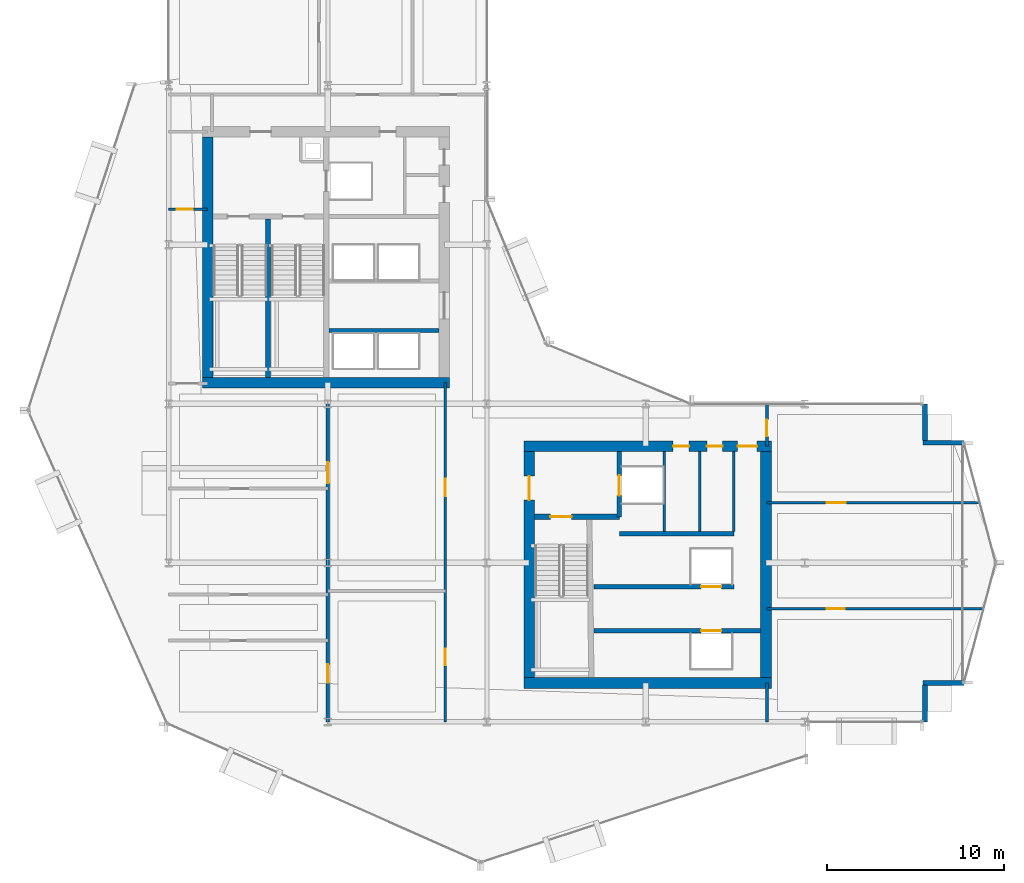
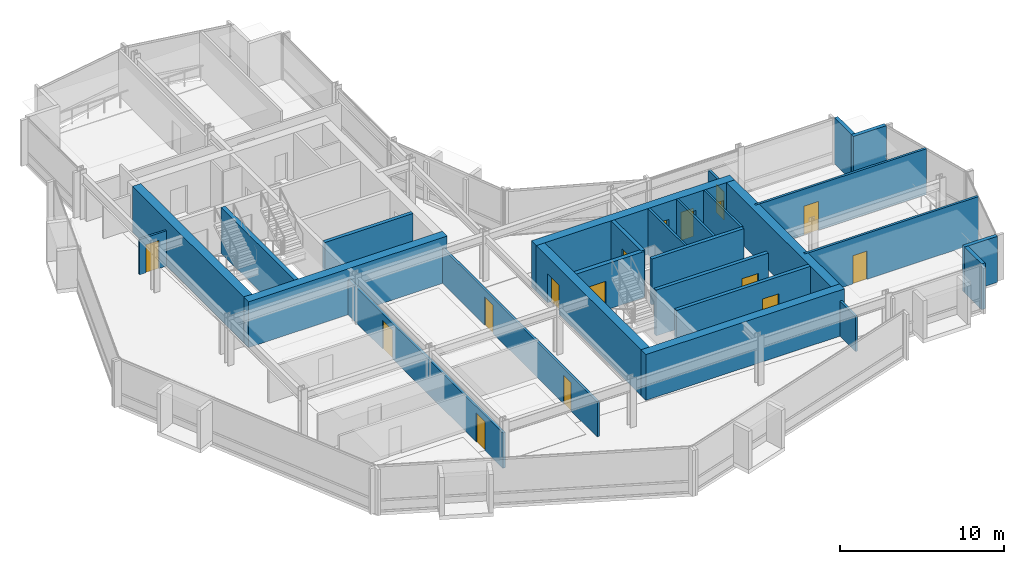
# One storey, part 22 of 28: 27 walls, 16 doors, 16 openings.
"""IFC4 building model written with IfcOpenShell, lengths in metres."""

from ifc_helpers import new_model, si_unit, direction, frame, frame_2d, origin, place, context, subcontext, project, spatial, rectangle, extrude, material, layer, layer_set, type_object, element, fill, save


model = new_model("IFC4")

# Units and contexts
model_context = context("Model", 3, precision=1e-05, world=origin(), true_north=direction((0.0, 1.0)))
body_context = subcontext(model_context, "Body", "Model", "MODEL_VIEW")
ifc_project = project(units=[si_unit("LENGTHUNIT", "METRE"), si_unit("AREAUNIT", "SQUARE_METRE"), si_unit("VOLUMEUNIT", "CUBIC_METRE"), si_unit("PLANEANGLEUNIT", "RADIAN"), si_unit("MASSUNIT", "GRAM", prefix="KILO")], contexts=[model_context])

# Site, building, storey
site_placement = place(None, origin())
site = spatial("IfcSite", under=ifc_project, at=site_placement, CompositionType="ELEMENT")
building_placement = place(site_placement, origin())
building = spatial("IfcBuilding", under=site, at=building_placement, Name="Solvaryn Broadcast Tower", CompositionType="ELEMENT")
storey_placement = place(building_placement, frame((0.0, 0.0, 110.0)))
storey = spatial("IfcBuildingStorey", under=building, at=storey_placement, Name="L26", CompositionType="ELEMENT", Elevation=110.0)

# Walls
ifc_material_1 = material(Name="Concrete f'c 70 MPa", Category="concrete")
ifc_layer_1 = layer(ifc_material_1, 0.60009765625)
ifc_layer_set_1 = layer_set([ifc_layer_1], Name="CW-SHEAR-600")
wall_type_1 = type_object("IfcWallType", Name="CW-SHEAR-600", PredefinedType="SHEAR", material=ifc_layer_set_1)
wall_1_placement = place(storey_placement, frame((10.89990234375, 28.199951171875, 0.0), z_axis=(0.0, 0.0, 1.0), x_axis=(1.0, 0.0, 0.0)))
element("IfcWall", 1, at=wall_1_placement, inside=storey, type_object=wall_type_1, Name="L26 West Core South Shear Wall", PredefinedType="SHEAR", context=body_context, shape_type="SweptSolid", body=[
    extrude(rectangle(XDim=14.0, YDim=0.60009765625, at=frame_2d((7.0, 0.0))), origin(), (0.0, 0.0, 1.0), 3.419921875),
])
wall_2_placement = place(storey_placement, frame((11.199951171875, 42.10009765625, 0.0), z_axis=(0.0, 0.0, 1.0), x_axis=(0.0, -1.0, 0.0)))
element("IfcWall", 2, at=wall_2_placement, inside=storey, type_object=wall_type_1, Name="L26 West Core West Shear Wall", PredefinedType="SHEAR", context=body_context, shape_type="SweptSolid", body=[
    extrude(rectangle(XDim=13.60009765625, YDim=0.60009765625, at=frame_2d((6.800048828125, 0.0))), origin(), (0.0, 0.0, 1.0), 3.419921875),
])
wall_3_placement = place(storey_placement, frame((29.10009765625, 11.199951171875, 0.0), z_axis=(0.0, 0.0, 1.0), x_axis=(1.0, 0.0, 0.0)))
element("IfcWall", 3, at=wall_3_placement, inside=storey, type_object=wall_type_1, Name="L26 East Core South Shear Wall", PredefinedType="SHEAR", context=body_context, shape_type="SweptSolid", body=[
    extrude(rectangle(XDim=14.0, YDim=0.60009765625, at=frame_2d((7.0, 0.0))), origin(), (0.0, 0.0, 1.0), 3.419921875),
])

# Wall, openings, doors
wall_4_placement = place(storey_placement, frame((43.10009765625, 24.60009765625, 0.0), z_axis=(0.0, 0.0, 1.0), x_axis=(-1.0, 0.0, 0.0)))
wall_4 = element("IfcWall", 4, at=wall_4_placement, inside=storey, type_object=wall_type_1, Name="L26 East Core North Shear Wall", PredefinedType="SHEAR", context=body_context, shape_type="SweptSolid", body=[
    extrude(rectangle(XDim=14.0, YDim=0.60009765625, at=frame_2d((7.0, 0.0))), origin(), (0.0, 0.0, 1.0), 3.419921875),
])
opening_1_placement = place(wall_4_placement, frame((0.800048828125, 0.0, 0.0)))
opening_1 = element("IfcOpeningElement", 5, at=opening_1_placement, cuts=wall_4, Name="Opening FD90C", PredefinedType="OPENING", context=body_context, shape_type="SweptSolid", body=[
    extrude(rectangle(XDim=1.10009765625, YDim=2.14990234375, at=frame_2d((0.550048828125, 1.074951171875))), frame((0.0, 0.31005859375, 0.0), z_axis=(0.0, -1.0, 0.0), x_axis=(1.0, 0.0, 0.0)), (0.0, 0.0, 1.0), 0.6201171875),
])
opening_2_placement = place(wall_4_placement, frame((2.75, 0.0, 0.0)))
opening_2 = element("IfcOpeningElement", 6, at=opening_2_placement, cuts=wall_4, Name="Opening FD60C", PredefinedType="OPENING", context=body_context, shape_type="SweptSolid", body=[
    extrude(rectangle(XDim=0.89990234375, YDim=2.10009765625, at=frame_2d((0.449951171875, 1.050048828125))), frame((0.0, 0.31005859375, 0.0), z_axis=(0.0, -1.0, 0.0), x_axis=(1.0, 0.0, 0.0)), (0.0, 0.0, 1.0), 0.6201171875),
])
opening_3_placement = place(wall_4_placement, frame((4.64990234375, 0.0, 0.0)))
opening_3 = element("IfcOpeningElement", 7, at=opening_3_placement, cuts=wall_4, Name="Opening FD60C", PredefinedType="OPENING", context=body_context, shape_type="SweptSolid", body=[
    extrude(rectangle(XDim=0.89990234375, YDim=2.10009765625, at=frame_2d((0.449951171875, 1.050048828125))), frame((0.0, 0.31005859375, 0.0), z_axis=(0.0, -1.0, 0.0), x_axis=(1.0, 0.0, 0.0)), (0.0, 0.0, 1.0), 0.6201171875),
])
ifc_material_2 = material(Name="Flush Acoustic Steel and Timber Door Assembly", Category="steel")
door_type_1 = type_object("IfcDoorType", Name="FD60-SERV-900X2100", OperationType="NOTDEFINED", PredefinedType="DOOR", material=ifc_material_2)
door_1_placement = place(opening_2_placement, origin())
door_1 = element("IfcDoor", 8, at=door_1_placement, inside=storey, type_object=door_type_1, Name="L26 Staff Restroom Door", OperationType="SINGLE_SWING_LEFT", OverallHeight=2.10009765625, OverallWidth=0.89990234375, PredefinedType="DOOR", context=body_context, shape_type="SweptSolid", body=[
    extrude(rectangle(XDim=0.89990234375, YDim=2.10009765625, at=frame_2d((0.449951171875, 1.050048828125))), frame((0.0, 0.02490234375, 0.0), z_axis=(0.0, -1.0, 0.0), x_axis=(1.0, 0.0, 0.0)), (0.0, 0.0, 1.0), 0.050048828125),
])
fill(opening_2, door_1)
door_2_placement = place(opening_3_placement, origin())
door_2 = element("IfcDoor", 9, at=door_2_placement, inside=storey, type_object=door_type_1, Name="L26 Accessible WC Door", OperationType="SINGLE_SWING_RIGHT", OverallHeight=2.10009765625, OverallWidth=0.89990234375, PredefinedType="DOOR", context=body_context, shape_type="SweptSolid", body=[
    extrude(rectangle(XDim=0.89990234375, YDim=2.10009765625, at=frame_2d((0.449951171875, 1.050048828125))), frame((0.0, 0.02490234375, 0.0), z_axis=(0.0, -1.0, 0.0), x_axis=(1.0, 0.0, 0.0)), (0.0, 0.0, 1.0), 0.050048828125),
])
fill(opening_3, door_2)
ifc_material_3 = material(Name="Flush Acoustic Steel and Timber Door Assembly", Category="steel")
door_type_2 = type_object("IfcDoorType", Name="FD90-PLANT-1100X2150", OperationType="NOTDEFINED", PredefinedType="DOOR", material=ifc_material_3)
door_3_placement = place(opening_1_placement, origin())
door_3 = element("IfcDoor", 10, at=door_3_placement, inside=storey, type_object=door_type_2, Name="L26 East Core Lobby Corridor Door", OperationType="SINGLE_SWING_LEFT", OverallHeight=2.14990234375, OverallWidth=1.10009765625, PredefinedType="DOOR", context=body_context, shape_type="SweptSolid", body=[
    extrude(rectangle(XDim=1.10009765625, YDim=2.14990234375, at=frame_2d((0.550048828125, 1.074951171875))), frame((0.0, 0.02490234375, 0.0), z_axis=(0.0, -1.0, 0.0), x_axis=(1.0, 0.0, 0.0)), (0.0, 0.0, 1.0), 0.050048828125),
])
fill(opening_1, door_3)

# Wall, opening, door
wall_5_placement = place(storey_placement, frame((29.39990234375, 24.300048828125, 0.0), z_axis=(0.0, 0.0, 1.0), x_axis=(0.0, -1.0, 0.0)))
wall_5 = element("IfcWall", 11, at=wall_5_placement, inside=storey, type_object=wall_type_1, Name="L26 East Core West Shear Wall", PredefinedType="SHEAR", context=body_context, shape_type="SweptSolid", body=[
    extrude(rectangle(XDim=12.800048828125, YDim=0.60009765625, at=frame_2d((6.39990234375, 0.0))), origin(), (0.0, 0.0, 1.0), 3.419921875),
])
opening_4_placement = place(wall_5_placement, frame((1.39990234375, 0.0, 0.0)))
opening_4 = element("IfcOpeningElement", 12, at=opening_4_placement, cuts=wall_5, Name="Opening FD90B", PredefinedType="OPENING", context=body_context, shape_type="SweptSolid", body=[
    extrude(rectangle(XDim=1.35009765625, YDim=2.14990234375, at=frame_2d((0.675048828125, 1.074951171875))), frame((0.0, 0.31005859375, 0.0), z_axis=(0.0, -1.0, 0.0), x_axis=(1.0, 0.0, 0.0)), (0.0, 0.0, 1.0), 0.6201171875),
])
ifc_material_4 = material(Name="Flush Acoustic Steel and Timber Door Assembly", Category="steel")
door_type_3 = type_object("IfcDoorType", Name="FD90-LOBBY-1350X2150", OperationType="NOTDEFINED", PredefinedType="DOOR", material=ifc_material_4)
door_4_placement = place(opening_4_placement, origin())
door_4 = element("IfcDoor", 13, at=door_4_placement, inside=storey, type_object=door_type_3, Name="L26 East FSAE Lobby Door", OperationType="SINGLE_SWING_RIGHT", OverallHeight=2.14990234375, OverallWidth=1.35009765625, PredefinedType="DOOR", context=body_context, shape_type="SweptSolid", body=[
    extrude(rectangle(XDim=1.35009765625, YDim=2.14990234375, at=frame_2d((0.675048828125, 1.074951171875))), frame((0.0, 0.02490234375, 0.0), z_axis=(0.0, -1.0, 0.0), x_axis=(1.0, 0.0, 0.0)), (0.0, 0.0, 1.0), 0.050048828125),
])
fill(opening_4, door_4)

# Walls
wall_6_placement = place(storey_placement, frame((42.800048828125, 11.5, 0.0), z_axis=(0.0, 0.0, 1.0), x_axis=(0.0, 1.0, 0.0)))
element("IfcWall", 14, at=wall_6_placement, inside=storey, type_object=wall_type_1, Name="L26 East Core East Shear Wall", PredefinedType="SHEAR", context=body_context, shape_type="SweptSolid", body=[
    extrude(rectangle(XDim=12.800048828125, YDim=0.60009765625, at=frame_2d((6.39990234375, 0.0))), origin(), (0.0, 0.0, 1.0), 3.419921875),
])
ifc_material_5 = material(Name="Concrete f'c 50 MPa", Category="concrete")
ifc_layer_2 = layer(ifc_material_5, 0.260009765625)
ifc_layer_set_2 = layer_set([ifc_layer_2], Name="EW-PIER-260")
wall_type_2 = type_object("IfcWallType", Name="EW-PIER-260", PredefinedType="SOLIDWALL", material=ifc_layer_set_2)
wall_7_placement = place(storey_placement, frame((51.800048828125, 9.0, 0.0), z_axis=(0.0, 0.0, 1.0), x_axis=(0.0, 1.0, 0.0)))
element("IfcWall", 15, at=wall_7_placement, inside=storey, type_object=wall_type_2, Name="L26 Notched Corner Pier Wall NSE1", PredefinedType="SOLIDWALL", context=body_context, shape_type="SweptSolid", body=[
    extrude(rectangle(XDim=2.080078125, YDim=0.260009765625, at=frame_2d((1.0400390625, 0.0))), origin(), (0.0, 0.0, 1.0), 3.419921875),
])
for number, where, z_axis, x_axis, name in (
    (16, (51.679931640625, 11.199951171875, 0.0), (0.0, 0.0, 1.0), (1.0, 0.0, 0.0), "L26 Notched Corner Pier Wall NSE2"),
    (17, (54.0, 24.800048828125, 0.0), (0.0, 0.0, 1.0), (-1.0, 0.0, 0.0), "L26 Notched Corner Pier Wall NEE1"),
):
    element("IfcWall", number, at=place(storey_placement, frame(where, z_axis=z_axis, x_axis=x_axis)), inside=storey, type_object=wall_type_2, Name=name, PredefinedType="SOLIDWALL", context=body_context, shape_type="SweptSolid", body=[
        extrude(rectangle(XDim=2.320068359375, YDim=0.260009765625, at=frame_2d((1.16015625, 0.0))), origin(), (0.0, 0.0, 1.0), 3.419921875),
    ])
wall_8_placement = place(storey_placement, frame((51.800048828125, 24.919921875, 0.0), z_axis=(0.0, 0.0, 1.0), x_axis=(0.0, 1.0, 0.0)))
element("IfcWall", 18, at=wall_8_placement, inside=storey, type_object=wall_type_2, Name="L26 Notched Corner Pier Wall NEE2", PredefinedType="SOLIDWALL", context=body_context, shape_type="SweptSolid", body=[
    extrude(rectangle(XDim=2.080078125, YDim=0.260009765625, at=frame_2d((1.0400390625, 0.0))), origin(), (0.0, 0.0, 1.0), 3.419921875),
])
ifc_material_6 = material(Name="Metal-Stud Service Core Partition")
ifc_layer_3 = layer(ifc_material_6, 0.14990234375)
ifc_layer_set_3 = layer_set([ifc_layer_3], Name="IW-PART-150")
wall_type_3 = type_object("IfcWallType", Name="IW-PART-150", PredefinedType="PARTITIONING", material=ifc_layer_set_3)
for number, where, z_axis, x_axis, name in (
    (19, (37.050048828125, 19.780029296875, 0.0), (0.0, 0.0, 1.0), (0.0, 1.0, 0.0), "L26 Interior Partition IW-L26-CE-FL2E"),
    (20, (39.050048828125, 19.780029296875, 0.0), (0.0, 0.0, 1.0), (0.0, 1.0, 0.0), "L26 Interior Partition IW-L26-CE-V1"),
    (21, (40.97998046875, 19.780029296875, 0.0), (0.0, 0.0, 1.0), (0.0, 1.0, 0.0), "L26 Interior Partition IW-L26-CE-V3"),
):
    element("IfcWall", number, at=place(storey_placement, frame(where, z_axis=z_axis, x_axis=x_axis)), inside=storey, type_object=wall_type_3, Name=name, PredefinedType="PARTITIONING", context=body_context, shape_type="SweptSolid", body=[
        extrude(rectangle(XDim=4.52001953125, YDim=0.14990234375, at=frame_2d((2.260009765625, 0.0))), origin(), (0.0, 0.0, 1.0), 3.419921875),
    ])

# Wall, opening, door
wall_9_placement = place(storey_placement, frame((9.0, 38.0, 0.0), z_axis=(0.0, 0.0, 1.0), x_axis=(1.0, 0.0, 0.0)))
wall_9 = element("IfcWall", 22, at=wall_9_placement, inside=storey, type_object=wall_type_3, Name="L26 Interior Partition IW-L26-WM-M", PredefinedType="PARTITIONING", context=body_context, shape_type="SweptSolid", body=[
    extrude(rectangle(XDim=2.199951171875, YDim=0.14990234375, at=frame_2d((1.10009765625, 0.0))), origin(), (0.0, 0.0, 1.0), 2.634033203125),
])
opening_5_placement = place(wall_9_placement, frame((0.449951171875, 0.0, 0.0)))
opening_5 = element("IfcOpeningElement", 23, at=opening_5_placement, cuts=wall_9, Name="Opening FD60C", PredefinedType="OPENING", context=body_context, shape_type="SweptSolid", body=[
    extrude(rectangle(XDim=0.89990234375, YDim=2.10009765625, at=frame_2d((0.449951171875, 1.050048828125))), frame((0.0, 0.0849609375, 0.0), z_axis=(0.0, -1.0, 0.0), x_axis=(1.0, 0.0, 0.0)), (0.0, 0.0, 1.0), 0.169921875),
])
door_5_placement = place(opening_5_placement, origin())
door_5 = element("IfcDoor", 24, at=door_5_placement, inside=storey, type_object=door_type_1, Name="L26 Door DR-L26-WM1", OperationType="SINGLE_SWING_RIGHT", OverallHeight=2.10009765625, OverallWidth=0.89990234375, PredefinedType="DOOR", context=body_context, shape_type="SweptSolid", body=[
    extrude(rectangle(XDim=0.89990234375, YDim=2.10009765625, at=frame_2d((0.449951171875, 1.050048828125))), frame((0.0, 0.02490234375, 0.0), z_axis=(0.0, -1.0, 0.0), x_axis=(1.0, 0.0, 0.0)), (0.0, 0.0, 1.0), 0.050048828125),
])
fill(opening_5, door_5)

# Wall, openings, doors
ifc_material_7 = material(Name="Metal-Stud Gypsum Office Partition")
ifc_layer_4 = layer(ifc_material_7, 0.159912109375)
ifc_layer_set_4 = layer_set([ifc_layer_4], Name="IW-PART-160")
wall_type_4 = type_object("IfcWallType", Name="IW-PART-160", PredefinedType="PARTITIONING", material=ifc_layer_set_4)
wall_10_placement = place(storey_placement, frame((24.64990234375, 9.0, 0.0), z_axis=(0.0, 0.0, 1.0), x_axis=(0.0, 1.0, 0.0)))
wall_10 = element("IfcWall", 25, at=wall_10_placement, inside=storey, type_object=wall_type_4, Name="L26 Interior Partition IW-L26-SW-EB", PredefinedType="PARTITIONING", context=body_context, shape_type="SweptSolid", body=[
    extrude(rectangle(XDim=19.199951171875, YDim=0.159912109375, at=frame_2d((9.60009765625, 0.0))), origin(), (0.0, 0.0, 1.0), 2.634033203125),
])
opening_6_placement = place(wall_10_placement, frame((3.199951171875, 0.0, 0.0)))
opening_6 = element("IfcOpeningElement", 26, at=opening_6_placement, cuts=wall_10, Name="Opening ID01", PredefinedType="OPENING", context=body_context, shape_type="SweptSolid", body=[
    extrude(rectangle(XDim=0.949951171875, YDim=2.10009765625, at=frame_2d((0.47509765625, 1.050048828125))), frame((0.0, 0.090087890625, 0.0), z_axis=(0.0, -1.0, 0.0), x_axis=(1.0, 0.0, 0.0)), (0.0, 0.0, 1.0), 0.179931640625),
])
opening_7_placement = place(wall_10_placement, frame((12.764892578125, 0.0, 0.0)))
opening_7 = element("IfcOpeningElement", 27, at=opening_7_placement, cuts=wall_10, Name="Opening ID02", PredefinedType="OPENING", context=body_context, shape_type="SweptSolid", body=[
    extrude(rectangle(XDim=1.0, YDim=2.10009765625, at=frame_2d((0.5, 1.050048828125))), frame((0.0, 0.090087890625, 0.0), z_axis=(0.0, -1.0, 0.0), x_axis=(1.0, 0.0, 0.0)), (0.0, 0.0, 1.0), 0.179931640625),
])
ifc_material_8 = material(Name="Flush Acoustic Steel and Timber Door Assembly", Category="steel")
door_type_4 = type_object("IfcDoorType", Name="ID-01-950X2100", OperationType="NOTDEFINED", PredefinedType="DOOR", material=ifc_material_8)
door_6_placement = place(opening_6_placement, origin())
door_6 = element("IfcDoor", 28, at=door_6_placement, inside=storey, type_object=door_type_4, Name="L26 Door DR-L26-SWE-1", OperationType="SINGLE_SWING_LEFT", OverallHeight=2.10009765625, OverallWidth=0.949951171875, PredefinedType="DOOR", context=body_context, shape_type="SweptSolid", body=[
    extrude(rectangle(XDim=0.949951171875, YDim=2.10009765625, at=frame_2d((0.47509765625, 1.050048828125))), frame((0.0, 0.02490234375, 0.0), z_axis=(0.0, -1.0, 0.0), x_axis=(1.0, 0.0, 0.0)), (0.0, 0.0, 1.0), 0.050048828125),
])
fill(opening_6, door_6)
ifc_material_9 = material(Name="Flush Acoustic Steel and Timber Door Assembly", Category="steel")
door_type_5 = type_object("IfcDoorType", Name="ID-02-1000X2100", OperationType="NOTDEFINED", PredefinedType="DOOR", material=ifc_material_9)
door_7_placement = place(opening_7_placement, origin())
door_7 = element("IfcDoor", 29, at=door_7_placement, inside=storey, type_object=door_type_5, Name="L26 Door DR-L26-SWE-2", OperationType="SINGLE_SWING_RIGHT", OverallHeight=2.10009765625, OverallWidth=1.0, PredefinedType="DOOR", context=body_context, shape_type="SweptSolid", body=[
    extrude(rectangle(XDim=1.0, YDim=2.10009765625, at=frame_2d((0.5, 1.050048828125))), frame((0.0, 0.02490234375, 0.0), z_axis=(0.0, -1.0, 0.0), x_axis=(1.0, 0.0, 0.0)), (0.0, 0.0, 1.0), 0.050048828125),
])
fill(opening_7, door_7)

# Wall
wall_11_placement = place(storey_placement, frame((42.85009765625, 9.0, 0.0), z_axis=(0.0, 0.0, 1.0), x_axis=(0.0, 1.0, 0.0)))
element("IfcWall", 30, at=wall_11_placement, inside=storey, type_object=wall_type_4, Name="L26 Interior Partition IW-L26-SC-E", PredefinedType="PARTITIONING", context=body_context, shape_type="SweptSolid", body=[
    extrude(rectangle(XDim=2.199951171875, YDim=0.159912109375, at=frame_2d((1.10009765625, 0.0))), origin(), (0.0, 0.0, 1.0), 2.634033203125),
])

# Wall, opening, door
wall_12_placement = place(storey_placement, frame((42.85009765625, 24.60009765625, 0.0), z_axis=(0.0, 0.0, 1.0), x_axis=(0.0, 1.0, 0.0)))
wall_12 = element("IfcWall", 31, at=wall_12_placement, inside=storey, type_object=wall_type_4, Name="L26 Interior Partition IW-L26-EW-BN", PredefinedType="PARTITIONING", context=body_context, shape_type="SweptSolid", body=[
    extrude(rectangle(XDim=2.39990234375, YDim=0.159912109375, at=frame_2d((1.199951171875, 0.0))), origin(), (0.0, 0.0, 1.0), 2.634033203125),
])
opening_8_placement = place(wall_12_placement, frame((0.550048828125, 0.0, 0.0)))
opening_8 = element("IfcOpeningElement", 32, at=opening_8_placement, cuts=wall_12, Name="Opening ID01", PredefinedType="OPENING", context=body_context, shape_type="SweptSolid", body=[
    extrude(rectangle(XDim=0.949951171875, YDim=2.10009765625, at=frame_2d((0.47509765625, 1.050048828125))), frame((0.0, 0.090087890625, 0.0), z_axis=(0.0, -1.0, 0.0), x_axis=(1.0, 0.0, 0.0)), (0.0, 0.0, 1.0), 0.179931640625),
])
door_8_placement = place(opening_8_placement, origin())
door_8 = element("IfcDoor", 33, at=door_8_placement, inside=storey, type_object=door_type_4, Name="L26 Door DR-L26-EW0", OperationType="SINGLE_SWING_LEFT", OverallHeight=2.10009765625, OverallWidth=0.949951171875, PredefinedType="DOOR", context=body_context, shape_type="SweptSolid", body=[
    extrude(rectangle(XDim=0.949951171875, YDim=2.10009765625, at=frame_2d((0.47509765625, 1.050048828125))), frame((0.0, 0.02490234375, 0.0), z_axis=(0.0, -1.0, 0.0), x_axis=(1.0, 0.0, 0.0)), (0.0, 0.0, 1.0), 0.050048828125),
])
fill(opening_8, door_8)

wall_13_placement = place(storey_placement, frame((42.85009765625, 15.39990234375, 0.0), z_axis=(0.0, 0.0, 1.0), x_axis=(1.0, 0.0, 0.0)))
wall_13 = element("IfcWall", 34, at=wall_13_placement, inside=storey, type_object=wall_type_4, Name="L26 Interior Partition IW-L26-EW-H1", PredefinedType="PARTITIONING", context=body_context, shape_type="SweptSolid", body=[
    extrude(rectangle(XDim=12.261962890625, YDim=0.159912109375, at=frame_2d((6.130859375, 0.0))), origin(), (0.0, 0.0, 1.0), 3.419921875),
])
opening_9_placement = place(wall_13_placement, frame((3.39990234375, 0.0, 0.0)))
opening_9 = element("IfcOpeningElement", 35, at=opening_9_placement, cuts=wall_13, Name="Opening ID02", PredefinedType="OPENING", context=body_context, shape_type="SweptSolid", body=[
    extrude(rectangle(XDim=1.0, YDim=2.10009765625, at=frame_2d((0.5, 1.050048828125))), frame((0.0, 0.090087890625, 0.0), z_axis=(0.0, -1.0, 0.0), x_axis=(1.0, 0.0, 0.0)), (0.0, 0.0, 1.0), 0.179931640625),
])
door_9_placement = place(opening_9_placement, origin())
door_9 = element("IfcDoor", 36, at=door_9_placement, inside=storey, type_object=door_type_5, Name="L26 Door DR-L26-EW-1", OperationType="SINGLE_SWING_RIGHT", OverallHeight=2.10009765625, OverallWidth=1.0, PredefinedType="DOOR", context=body_context, shape_type="SweptSolid", body=[
    extrude(rectangle(XDim=1.0, YDim=2.10009765625, at=frame_2d((0.5, 1.050048828125))), frame((0.0, 0.02490234375, 0.0), z_axis=(0.0, -1.0, 0.0), x_axis=(1.0, 0.0, 0.0)), (0.0, 0.0, 1.0), 0.050048828125),
])
fill(opening_9, door_9)

wall_14_placement = place(storey_placement, frame((42.85009765625, 21.39990234375, 0.0), z_axis=(0.0, 0.0, 1.0), x_axis=(1.0, 0.0, 0.0)))
wall_14 = element("IfcWall", 37, at=wall_14_placement, inside=storey, type_object=wall_type_4, Name="L26 Interior Partition IW-L26-EW-H2", PredefinedType="PARTITIONING", context=body_context, shape_type="SweptSolid", body=[
    extrude(rectangle(XDim=12.0498046875, YDim=0.159912109375, at=frame_2d((6.02490234375, 0.0))), origin(), (0.0, 0.0, 1.0), 3.419921875),
])
opening_10_placement = place(wall_14_placement, frame((3.39990234375, 0.0, 0.0)))
opening_10 = element("IfcOpeningElement", 38, at=opening_10_placement, cuts=wall_14, Name="Opening ID03", PredefinedType="OPENING", context=body_context, shape_type="SweptSolid", body=[
    extrude(rectangle(XDim=1.050048828125, YDim=2.14990234375, at=frame_2d((0.52490234375, 1.074951171875))), frame((0.0, 0.090087890625, 0.0), z_axis=(0.0, -1.0, 0.0), x_axis=(1.0, 0.0, 0.0)), (0.0, 0.0, 1.0), 0.179931640625),
])
ifc_material_10 = material(Name="Flush Acoustic Steel and Timber Door Assembly", Category="steel")
door_type_6 = type_object("IfcDoorType", Name="ID-03-1050X2150", OperationType="NOTDEFINED", PredefinedType="DOOR", material=ifc_material_10)
door_10_placement = place(opening_10_placement, origin())
door_10 = element("IfcDoor", 39, at=door_10_placement, inside=storey, type_object=door_type_6, Name="L26 Door DR-L26-EW-2", OperationType="SINGLE_SWING_LEFT", OverallHeight=2.14990234375, OverallWidth=1.050048828125, PredefinedType="DOOR", context=body_context, shape_type="SweptSolid", body=[
    extrude(rectangle(XDim=1.050048828125, YDim=2.14990234375, at=frame_2d((0.52490234375, 1.074951171875))), frame((0.0, 0.02490234375, 0.0), z_axis=(0.0, -1.0, 0.0), x_axis=(1.0, 0.0, 0.0)), (0.0, 0.0, 1.0), 0.050048828125),
])
fill(opening_10, door_10)

# Wall, openings, doors
ifc_material_11 = material(Name="Acoustic Metal-Stud Gypsum Partition")
ifc_layer_5 = layer(ifc_material_11, 0.179931640625)
ifc_layer_set_5 = layer_set([ifc_layer_5], Name="IW-PART-180")
wall_type_5 = type_object("IfcWallType", Name="IW-PART-180", PredefinedType="PARTITIONING", material=ifc_layer_set_5)
wall_15_placement = place(storey_placement, frame((18.0, 9.0, 0.0), z_axis=(0.0, 0.0, 1.0), x_axis=(0.0, 1.0, 0.0)))
wall_15 = element("IfcWall", 40, at=wall_15_placement, inside=storey, type_object=wall_type_5, Name="L26 Interior Partition IW-L26-SW-VX", PredefinedType="PARTITIONING", context=body_context, shape_type="SweptSolid", body=[
    extrude(rectangle(XDim=19.1298828125, YDim=0.179931640625, at=frame_2d((9.56494140625, 0.0))), origin(), (0.0, 0.0, 1.0), 2.634033203125),
])
opening_11_placement = place(wall_15_placement, frame((2.199951171875, 0.0, 0.0)))
opening_11 = element("IfcOpeningElement", 41, at=opening_11_placement, cuts=wall_15, Name="Opening ID03", PredefinedType="OPENING", context=body_context, shape_type="SweptSolid", body=[
    extrude(rectangle(XDim=1.050048828125, YDim=2.14990234375, at=frame_2d((0.52490234375, 1.074951171875))), frame((0.0, 0.099853515625, 0.0), z_axis=(0.0, -1.0, 0.0), x_axis=(1.0, 0.0, 0.0)), (0.0, 0.0, 1.0), 0.199951171875),
])
opening_12_placement = place(wall_15_placement, frame((13.5, 0.0, 0.0)))
opening_12 = element("IfcOpeningElement", 42, at=opening_12_placement, cuts=wall_15, Name="Opening ID04", PredefinedType="OPENING", context=body_context, shape_type="SweptSolid", body=[
    extrude(rectangle(XDim=1.199951171875, YDim=2.14990234375, at=frame_2d((0.60009765625, 1.074951171875))), frame((0.0, 0.099853515625, 0.0), z_axis=(0.0, -1.0, 0.0), x_axis=(1.0, 0.0, 0.0)), (0.0, 0.0, 1.0), 0.199951171875),
])
door_11_placement = place(opening_11_placement, origin())
door_11 = element("IfcDoor", 43, at=door_11_placement, inside=storey, type_object=door_type_6, Name="L26 Door DR-L26-SWW-X1", OperationType="SINGLE_SWING_LEFT", OverallHeight=2.14990234375, OverallWidth=1.050048828125, PredefinedType="DOOR", context=body_context, shape_type="SweptSolid", body=[
    extrude(rectangle(XDim=1.050048828125, YDim=2.14990234375, at=frame_2d((0.52490234375, 1.074951171875))), frame((0.0, 0.02490234375, 0.0), z_axis=(0.0, -1.0, 0.0), x_axis=(1.0, 0.0, 0.0)), (0.0, 0.0, 1.0), 0.050048828125),
])
fill(opening_11, door_11)
ifc_material_12 = material(Name="Flush Acoustic Steel and Timber Door Assembly", Category="steel")
door_type_7 = type_object("IfcDoorType", Name="ID-04-1200X2150", OperationType="NOTDEFINED", PredefinedType="DOOR", material=ifc_material_12)
door_12_placement = place(opening_12_placement, origin())
door_12 = element("IfcDoor", 44, at=door_12_placement, inside=storey, type_object=door_type_7, Name="L26 Door DR-L26-SWW-X2", OperationType="SINGLE_SWING_RIGHT", OverallHeight=2.14990234375, OverallWidth=1.199951171875, PredefinedType="DOOR", context=body_context, shape_type="SweptSolid", body=[
    extrude(rectangle(XDim=1.199951171875, YDim=2.14990234375, at=frame_2d((0.60009765625, 1.074951171875))), frame((0.0, 0.02490234375, 0.0), z_axis=(0.0, -1.0, 0.0), x_axis=(1.0, 0.0, 0.0)), (0.0, 0.0, 1.0), 0.050048828125),
])
fill(opening_12, door_12)

# Wall
ifc_material_13 = material(Name="Concrete f'c 60 MPa", Category="concrete")
ifc_layer_6 = layer(ifc_material_13, 0.25)
ifc_layer_set_6 = layer_set([ifc_layer_6], Name="SW-SHAFT-250")
wall_type_6 = type_object("IfcWallType", Name="SW-SHAFT-250", PredefinedType="PARTITIONING", material=ifc_layer_set_6)
wall_16_placement = place(storey_placement, frame((18.070068359375, 31.14990234375, 0.0), z_axis=(0.0, 0.0, 1.0), x_axis=(1.0, 0.0, 0.0)))
element("IfcWall", 45, at=wall_16_placement, inside=storey, type_object=wall_type_6, Name="L26 High-Rise Lift Bank South Wall", PredefinedType="PARTITIONING", context=body_context, shape_type="SweptSolid", body=[
    extrude(rectangle(XDim=6.22998046875, YDim=0.25, at=frame_2d((3.114990234375, 0.0))), origin(), (0.0, 0.0, 1.0), 3.419921875),
])

# Wall, opening, door
wall_17_placement = place(storey_placement, frame((34.5, 20.60009765625, 0.0), z_axis=(0.0, 0.0, 1.0), x_axis=(0.0, 1.0, 0.0)))
wall_17 = element("IfcWall", 46, at=wall_17_placement, inside=storey, type_object=wall_type_6, Name="L26 East FSAE Lobby East Wall", PredefinedType="PARTITIONING", context=body_context, shape_type="SweptSolid", body=[
    extrude(rectangle(XDim=3.699951171875, YDim=0.25, at=frame_2d((1.85009765625, 0.0))), origin(), (0.0, 0.0, 1.0), 3.419921875),
])
opening_13_placement = place(wall_17_placement, frame((1.199951171875, 0.0, 0.0)))
opening_13 = element("IfcOpeningElement", 47, at=opening_13_placement, cuts=wall_17, Name="Opening LD01", PredefinedType="OPENING", context=body_context, shape_type="SweptSolid", body=[
    extrude(rectangle(XDim=1.14990234375, YDim=2.14990234375, at=frame_2d((0.574951171875, 1.074951171875))), frame((0.0, 0.135009765625, 0.0), z_axis=(0.0, -1.0, 0.0), x_axis=(1.0, 0.0, 0.0)), (0.0, 0.0, 1.0), 0.27001953125),
])
ifc_material_14 = material(Name="Flush Acoustic Steel and Timber Door Assembly", Category="steel")
door_type_8 = type_object("IfcDoorType", Name="LD-LIFT-1150X2150", OperationType="NOTDEFINED", PredefinedType="DOOR", material=ifc_material_14)
door_13_placement = place(opening_13_placement, origin())
door_13 = element("IfcDoor", 48, at=door_13_placement, inside=storey, type_object=door_type_8, Name="L26 FL2 Lift Landing Door", OperationType="DOUBLE_DOOR_SLIDING", OverallHeight=2.14990234375, OverallWidth=1.14990234375, PredefinedType="DOOR", context=body_context, shape_type="SweptSolid", body=[
    extrude(rectangle(XDim=1.14990234375, YDim=2.14990234375, at=frame_2d((0.574951171875, 1.074951171875))), frame((0.0, 0.02490234375, 0.0), z_axis=(0.0, -1.0, 0.0), x_axis=(1.0, 0.0, 0.0)), (0.0, 0.0, 1.0), 0.050048828125),
])
fill(opening_13, door_13)

# Wall
wall_18_placement = place(storey_placement, frame((34.5, 19.64990234375, 0.0), z_axis=(0.0, 0.0, 1.0), x_axis=(1.0, 0.0, 0.0)))
element("IfcWall", 49, at=wall_18_placement, inside=storey, type_object=wall_type_6, Name="L26 East Core Restroom South Wall", PredefinedType="PARTITIONING", context=body_context, shape_type="SweptSolid", body=[
    extrude(rectangle(XDim=6.47998046875, YDim=0.25, at=frame_2d((3.239990234375, 0.0))), origin(), (0.0, 0.0, 1.0), 3.419921875),
])

# Wall, opening, door
wall_19_placement = place(storey_placement, frame((33.070068359375, 14.14990234375, 0.0), z_axis=(0.0, 0.0, 1.0), x_axis=(1.0, 0.0, 0.0)))
wall_19 = element("IfcWall", 50, at=wall_19_placement, inside=storey, type_object=wall_type_6, Name="L26 East Lift Bank South Wall", PredefinedType="PARTITIONING", context=body_context, shape_type="SweptSolid", body=[
    extrude(rectangle(XDim=9.429931640625, YDim=0.25, at=frame_2d((4.71484375, 0.0))), origin(), (0.0, 0.0, 1.0), 3.419921875),
])
opening_14_placement = place(wall_19_placement, frame((6.054931640625, 0.0, 0.0)))
opening_14 = element("IfcOpeningElement", 51, at=opening_14_placement, cuts=wall_19, Name="Opening LD01", PredefinedType="OPENING", context=body_context, shape_type="SweptSolid", body=[
    extrude(rectangle(XDim=1.14990234375, YDim=2.14990234375, at=frame_2d((0.574951171875, 1.074951171875))), frame((0.0, 0.135009765625, 0.0), z_axis=(0.0, -1.0, 0.0), x_axis=(1.0, 0.0, 0.0)), (0.0, 0.0, 1.0), 0.27001953125),
])
door_14_placement = place(opening_14_placement, origin())
door_14 = element("IfcDoor", 52, at=door_14_placement, inside=storey, type_object=door_type_8, Name="L26 PM1 Lift Landing Door", OperationType="DOUBLE_DOOR_SLIDING", OverallHeight=2.14990234375, OverallWidth=1.14990234375, PredefinedType="DOOR", context=body_context, shape_type="SweptSolid", body=[
    extrude(rectangle(XDim=1.14990234375, YDim=2.14990234375, at=frame_2d((0.574951171875, 1.074951171875))), frame((0.0, 0.02490234375, 0.0), z_axis=(0.0, -1.0, 0.0), x_axis=(1.0, 0.0, 0.0)), (0.0, 0.0, 1.0), 0.050048828125),
])
fill(opening_14, door_14)

wall_20_placement = place(storey_placement, frame((40.97998046875, 16.64990234375, 0.0), z_axis=(0.0, 0.0, 1.0), x_axis=(-1.0, 0.0, 0.0)))
wall_20 = element("IfcWall", 53, at=wall_20_placement, inside=storey, type_object=wall_type_6, Name="L26 East Lift Bank North Wall", PredefinedType="PARTITIONING", context=body_context, shape_type="SweptSolid", body=[
    extrude(rectangle(XDim=7.909912109375, YDim=0.25, at=frame_2d((3.955078125, 0.0))), origin(), (0.0, 0.0, 1.0), 3.419921875),
])
opening_15_placement = place(wall_20_placement, frame((0.705078125, 0.0, 0.0)))
opening_15 = element("IfcOpeningElement", 54, at=opening_15_placement, cuts=wall_20, Name="Opening LD01", PredefinedType="OPENING", context=body_context, shape_type="SweptSolid", body=[
    extrude(rectangle(XDim=1.14990234375, YDim=2.14990234375, at=frame_2d((0.574951171875, 1.074951171875))), frame((0.0, 0.135009765625, 0.0), z_axis=(0.0, -1.0, 0.0), x_axis=(1.0, 0.0, 0.0)), (0.0, 0.0, 1.0), 0.27001953125),
])
door_15_placement = place(opening_15_placement, origin())
door_15 = element("IfcDoor", 55, at=door_15_placement, inside=storey, type_object=door_type_8, Name="L26 PM2 Lift Landing Door", OperationType="DOUBLE_DOOR_SLIDING", OverallHeight=2.14990234375, OverallWidth=1.14990234375, PredefinedType="DOOR", context=body_context, shape_type="SweptSolid", body=[
    extrude(rectangle(XDim=1.14990234375, YDim=2.14990234375, at=frame_2d((0.574951171875, 1.074951171875))), frame((0.0, 0.02490234375, 0.0), z_axis=(0.0, -1.0, 0.0), x_axis=(1.0, 0.0, 0.0)), (0.0, 0.0, 1.0), 0.050048828125),
])
fill(opening_15, door_15)

# Wall
ifc_material_15 = material(Name="Concrete f'c 70 MPa", Category="concrete")
ifc_layer_7 = layer(ifc_material_15, 0.300048828125)
ifc_layer_set_7 = layer_set([ifc_layer_7], Name="SW-SHAFT-300")
wall_type_7 = type_object("IfcWallType", Name="SW-SHAFT-300", PredefinedType="SHEAR", material=ifc_layer_set_7)
wall_21_placement = place(storey_placement, frame((14.6201171875, 28.5, 0.0), z_axis=(0.0, 0.0, 1.0), x_axis=(0.0, 1.0, 0.0)))
element("IfcWall", 56, at=wall_21_placement, inside=storey, type_object=wall_type_7, Name="L26 Stair 1-2 Dividing Wall", PredefinedType="SHEAR", context=body_context, shape_type="SweptSolid", body=[
    extrude(rectangle(XDim=8.949951171875, YDim=0.300048828125, at=frame_2d((4.47509765625, 0.0))), origin(), (0.0, 0.0, 1.0), 3.419921875),
])

# Wall, opening, door
wall_22_placement = place(storey_placement, frame((34.5, 20.60009765625, 0.0), z_axis=(0.0, 0.0, 1.0), x_axis=(-1.0, 0.0, 0.0)))
wall_22 = element("IfcWall", 57, at=wall_22_placement, inside=storey, type_object=wall_type_7, Name="L26 East FSAE Lobby South Wall", PredefinedType="SHEAR", context=body_context, shape_type="SweptSolid", body=[
    extrude(rectangle(XDim=4.800048828125, YDim=0.300048828125, at=frame_2d((2.39990234375, 0.0))), origin(), (0.0, 0.0, 1.0), 3.419921875),
])
opening_16_placement = place(wall_22_placement, frame((2.699951171875, 0.0, 0.0)))
opening_16 = element("IfcOpeningElement", 58, at=opening_16_placement, cuts=wall_22, Name="Opening FD90A", PredefinedType="OPENING", context=body_context, shape_type="SweptSolid", body=[
    extrude(rectangle(XDim=1.199951171875, YDim=2.14990234375, at=frame_2d((0.60009765625, 1.074951171875))), frame((0.0, 0.159912109375, 0.0), z_axis=(0.0, -1.0, 0.0), x_axis=(1.0, 0.0, 0.0)), (0.0, 0.0, 1.0), 0.320068359375),
])
ifc_material_16 = material(Name="Flush Acoustic Steel and Timber Door Assembly", Category="steel")
door_type_9 = type_object("IfcDoorType", Name="FD90-STAIR-1200X2150", OperationType="NOTDEFINED", PredefinedType="DOOR", material=ifc_material_16)
door_16_placement = place(opening_16_placement, origin())
door_16 = element("IfcDoor", 59, at=door_16_placement, inside=storey, type_object=door_type_9, Name="L26 Stair 3 Fire Door", OperationType="SINGLE_SWING_LEFT", OverallHeight=2.14990234375, OverallWidth=1.199951171875, PredefinedType="DOOR", context=body_context, shape_type="SweptSolid", body=[
    extrude(rectangle(XDim=1.199951171875, YDim=2.14990234375, at=frame_2d((0.60009765625, 1.074951171875))), frame((0.0, 0.02490234375, 0.0), z_axis=(0.0, -1.0, 0.0), x_axis=(1.0, 0.0, 0.0)), (0.0, 0.0, 1.0), 0.050048828125),
])
fill(opening_16, door_16)

save(model, "model.ifc")
